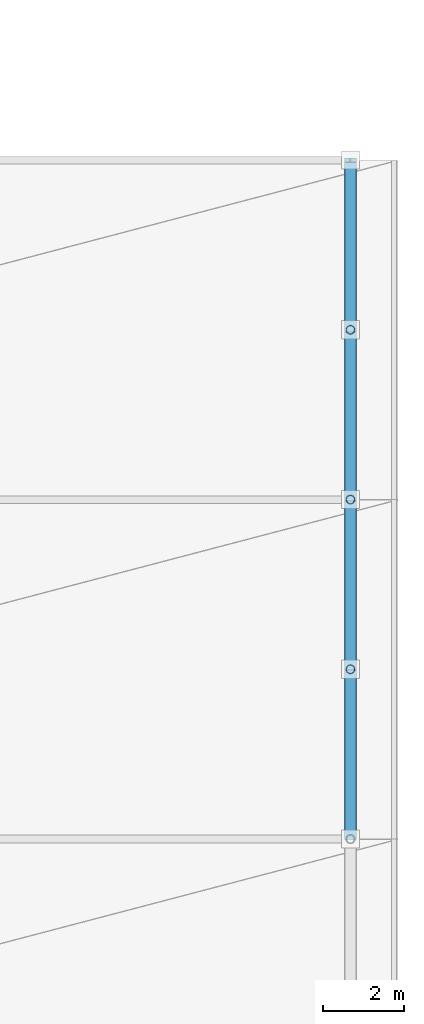
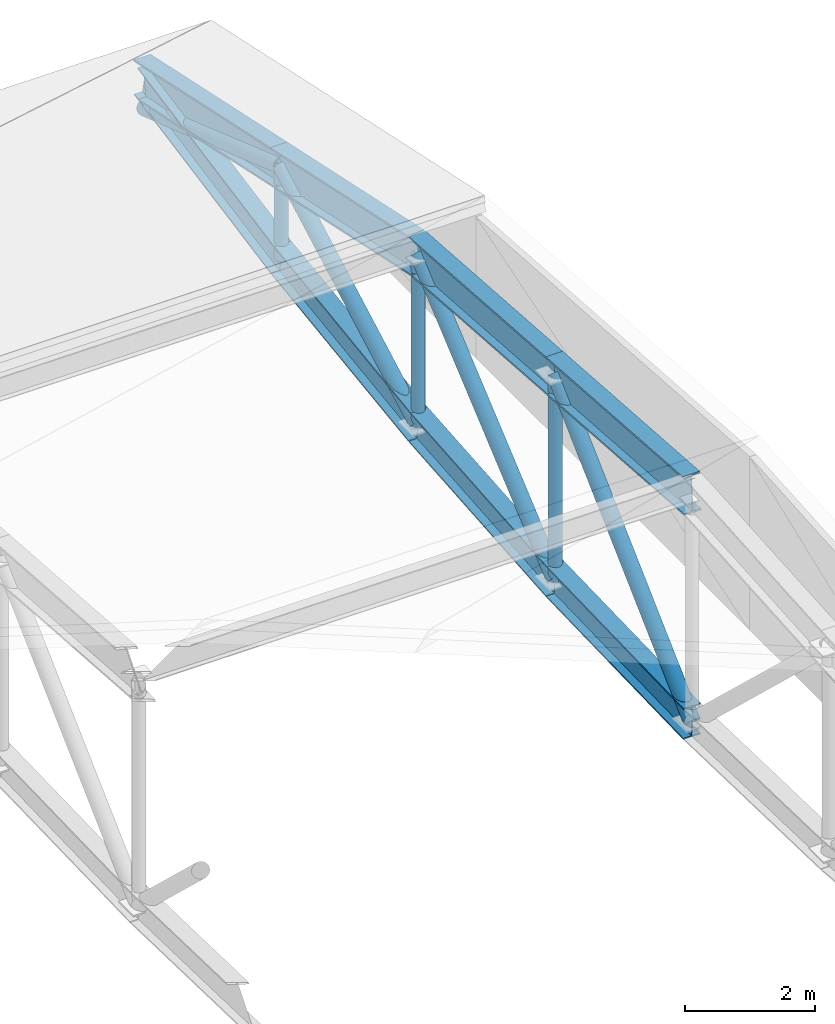
# One storey, part 57 of 87: 8 beams, 7 members.
"""IFC4 building model written with IfcOpenShell, lengths in metres."""

from ifc_helpers import new_model, si_unit, direction, frame, origin, origin_2d, place, context, subcontext, project, spatial, hollow_circle, i_section, extrude, material, material_profile, profile_set, type_object, element, save


model = new_model("IFC4")

# Units and contexts
model_context = context("Model", 3, precision=1e-05, world=origin(), true_north=direction((0.0, 1.0)))
body_context = subcontext(model_context, "Body", "Model", "MODEL_VIEW")
ifc_project = project(units=[si_unit("LENGTHUNIT", "METRE"), si_unit("AREAUNIT", "SQUARE_METRE"), si_unit("VOLUMEUNIT", "CUBIC_METRE"), si_unit("PLANEANGLEUNIT", "RADIAN"), si_unit("MASSUNIT", "GRAM", prefix="KILO")], contexts=[model_context])

# Site, building, storey
site_placement = place(None, origin())
site = spatial("IfcSite", under=ifc_project, at=site_placement, CompositionType="ELEMENT")
building_placement = place(site_placement, origin())
building = spatial("IfcBuilding", under=site, at=building_placement, Name="Sohan Crest Arena", CompositionType="ELEMENT")
storey_placement = place(building_placement, frame((0.0, 0.0, 18.0)))
storey = spatial("IfcBuildingStorey", under=building, at=storey_placement, Name="L04", CompositionType="ELEMENT", Elevation=18.0)

# Beams
ifc_material = material(Name="Steel S355", Category="steel")
ifc_material_profile_1 = material_profile(ifc_material, i_section(OverallWidth=0.300048828125, OverallDepth=0.590087890625, WebThickness=0.012939453125, FlangeThickness=0.02490234375, at=origin_2d()), Name="HEA 600")
ifc_profile_set_1 = profile_set([ifc_material_profile_1], Name="Steel S355")
beam_type_1 = type_object("IfcBeamType", Name="STR-BM-B11", PredefinedType="BEAM", material=ifc_profile_set_1)
beam_1_placement = place(storey_placement, frame((225.800048828125, 94.0, -1.5), z_axis=(0.0, 0.99961902138, 0.02760094374), x_axis=(-1.0, 0.0, 0.0)))
element("IfcBeam", 1, at=beam_1_placement, inside=storey, type_object=beam_type_1, Name="Structural beam VAB-L04-2483", PredefinedType="BEAM", context=body_context, shape_type="SweptSolid", body=[
    extrude(i_section(OverallWidth=0.300048828125, OverallDepth=0.590087890625, WebThickness=0.012939453125, FlangeThickness=0.02490234375, at=origin_2d()), origin(), (0.0, 0.0, 1.0), 4.20166015625),
])
beam_2_placement = place(storey_placement, frame((225.800048828125, 98.199951171875, -1.384033203125), z_axis=(0.0, 0.996605824568, 0.082321506523), x_axis=(-1.0, 0.0, 0.0)))
element("IfcBeam", 2, at=beam_2_placement, inside=storey, type_object=beam_type_1, Name="Structural beam VAB-L04-2485", PredefinedType="BEAM", context=body_context, shape_type="SweptSolid", body=[
    extrude(i_section(OverallWidth=0.300048828125, OverallDepth=0.590087890625, WebThickness=0.012939453125, FlangeThickness=0.02490234375, at=origin_2d()), origin(), (0.0, 0.0, 1.0), 4.21435546875),
])
beam_3_placement = place(storey_placement, frame((225.800048828125, 102.39990234375, -1.037109375), z_axis=(0.0, 0.990659791804, 0.136356799988), x_axis=(-1.0, 0.0, 0.0)))
element("IfcBeam", 3, at=beam_3_placement, inside=storey, type_object=beam_type_1, Name="Structural beam VAB-L04-2487", PredefinedType="BEAM", context=body_context, shape_type="SweptSolid", body=[
    extrude(i_section(OverallWidth=0.300048828125, OverallDepth=0.590087890625, WebThickness=0.012939453125, FlangeThickness=0.02490234375, at=origin_2d()), origin(), (0.0, 0.0, 1.0), 4.23974609375),
])
beam_4_placement = place(storey_placement, frame((225.800048828125, 106.60009765625, -0.458984375), z_axis=(0.0, 0.981945733642, 0.189162829814), x_axis=(-1.0, 0.0, 0.0)))
element("IfcBeam", 4, at=beam_4_placement, inside=storey, type_object=beam_type_1, Name="Structural beam VAB-L04-2489", PredefinedType="BEAM", context=body_context, shape_type="SweptSolid", body=[
    extrude(i_section(OverallWidth=0.300048828125, OverallDepth=0.590087890625, WebThickness=0.012939453125, FlangeThickness=0.02490234375, at=origin_2d()), origin(), (0.0, 0.0, 1.0), 4.277099609375),
])
ifc_material_profile_2 = material_profile(ifc_material, i_section(OverallWidth=0.300048828125, OverallDepth=0.699951171875, WebThickness=0.01708984375, FlangeThickness=0.031982421875, at=origin_2d()), Name="HEB 700")
ifc_profile_set_2 = profile_set([ifc_material_profile_2], Name="Steel S355")
beam_type_2 = type_object("IfcBeamType", Name="STR-BM-B16", PredefinedType="BEAM", material=ifc_profile_set_2)
for number, where, z_axis, x_axis, name in (
    (5, (225.800048828125, 94.0, 2.77001953125), (0.0, 0.997457816785, -0.071259411546), (-1.0, 0.0, 0.0), "Structural beam VA-L04-2482"),
    (6, (225.800048828125, 98.199951171875, 2.469970703125), (0.0, 0.997457816785, -0.071259411546), (-1.0, 0.0, 0.0), "Structural beam VA-L04-2484"),
):
    element("IfcBeam", number, at=place(storey_placement, frame(where, z_axis=z_axis, x_axis=x_axis)), inside=storey, type_object=beam_type_2, Name=name, PredefinedType="BEAM", context=body_context, shape_type="SweptSolid", body=[
        extrude(i_section(OverallWidth=0.300048828125, OverallDepth=0.699951171875, WebThickness=0.01708984375, FlangeThickness=0.031982421875, at=origin_2d()), origin(), (0.0, 0.0, 1.0), 4.210693359375),
    ])
beam_5_placement = place(storey_placement, frame((225.800048828125, 102.39990234375, 2.169921875), z_axis=(0.0, 0.977809067572, -0.209498036682), x_axis=(-1.0, 0.0, 0.0)))
element("IfcBeam", 7, at=beam_5_placement, inside=storey, type_object=beam_type_2, Name="Structural beam VA-L04-2486", PredefinedType="BEAM", context=body_context, shape_type="SweptSolid", body=[
    extrude(i_section(OverallWidth=0.300048828125, OverallDepth=0.699951171875, WebThickness=0.01708984375, FlangeThickness=0.031982421875, at=origin_2d()), origin(), (0.0, 0.0, 1.0), 4.29541015625),
])
beam_6_placement = place(storey_placement, frame((225.800048828125, 106.60009765625, 1.27001953125), z_axis=(0.0, 0.977806572858, -0.209509680146), x_axis=(-1.0, 0.0, 0.0)))
element("IfcBeam", 8, at=beam_6_placement, inside=storey, type_object=beam_type_2, Name="Structural beam VA-L04-2488", PredefinedType="BEAM", context=body_context, shape_type="SweptSolid", body=[
    extrude(i_section(OverallWidth=0.300048828125, OverallDepth=0.699951171875, WebThickness=0.01708984375, FlangeThickness=0.031982421875, at=origin_2d()), origin(), (0.0, 0.0, 1.0), 4.295166015625),
])

# Members
ifc_material_profile_3 = material_profile(ifc_material, hollow_circle(Radius=0.109619140625, WallThickness=0.010009765625, at=origin_2d()), Name="CHS 219.1x10")
ifc_profile_set_3 = profile_set([ifc_material_profile_3], Name="Steel S355")
member_type_1 = type_object("IfcMemberType", Name="STR-MEM-BR01", PredefinedType="BRACE", material=ifc_profile_set_3)
member_1_placement = place(storey_placement, frame((225.800048828125, 98.199951171875, -1.384033203125), z_axis=(0.0, 0.0, 1.0), x_axis=(1.0, 0.0, 0.0)))
element("IfcMember", 9, at=member_1_placement, inside=storey, type_object=member_type_1, Name="Vault truss web strut VW-055", PredefinedType="BRACE", context=body_context, shape_type="SweptSolid", body=[
    extrude(hollow_circle(Radius=0.109619140625, WallThickness=0.010009765625, at=origin_2d()), origin(), (0.0, 0.0, 1.0), 3.85400390625),
])
member_2_placement = place(storey_placement, frame((225.800048828125, 102.39990234375, -1.037109375), z_axis=(0.0, 0.0, 1.0), x_axis=(1.0, 0.0, 0.0)))
element("IfcMember", 10, at=member_2_placement, inside=storey, type_object=member_type_1, Name="Vault truss web strut VW-057", PredefinedType="BRACE", context=body_context, shape_type="SweptSolid", body=[
    extrude(hollow_circle(Radius=0.109619140625, WallThickness=0.010009765625, at=origin_2d()), origin(), (0.0, 0.0, 1.0), 3.20703125),
])
member_3_placement = place(storey_placement, frame((225.800048828125, 106.60009765625, -0.458984375), z_axis=(0.0, 0.0, 1.0), x_axis=(1.0, 0.0, 0.0)))
element("IfcMember", 11, at=member_3_placement, inside=storey, type_object=member_type_1, Name="Vault truss web strut VW-059", PredefinedType="BRACE", context=body_context, shape_type="SweptSolid", body=[
    extrude(hollow_circle(Radius=0.109619140625, WallThickness=0.010009765625, at=origin_2d()), origin(), (0.0, 0.0, 1.0), 1.72900390625),
])
ifc_material_profile_4 = material_profile(ifc_material, hollow_circle(Radius=0.136474609375, WallThickness=0.012451171875, at=origin_2d()), Name="CHS 273x12.5")
ifc_profile_set_4 = profile_set([ifc_material_profile_4], Name="Steel S355")
member_type_2 = type_object("IfcMemberType", Name="STR-MEM-BR02", PredefinedType="BRACE", material=ifc_profile_set_4)
member_4_placement = place(storey_placement, frame((225.800048828125, 94.0, -1.5), z_axis=(0.0, 0.726723719959, 0.686929861667), x_axis=(-1.0, 0.0, 0.0)))
element("IfcMember", 12, at=member_4_placement, inside=storey, type_object=member_type_2, Name="Vault truss diagonal VDG-054", PredefinedType="BRACE", context=body_context, shape_type="SweptSolid", body=[
    extrude(hollow_circle(Radius=0.136474609375, WallThickness=0.012451171875, at=origin_2d()), origin(), (0.0, 0.0, 1.0), 5.779296875),
])
member_5_placement = place(storey_placement, frame((225.800048828125, 98.199951171875, -1.384033203125), z_axis=(0.0, 0.763372819868, 0.645958154904), x_axis=(-1.0, 0.0, 0.0)))
element("IfcMember", 13, at=member_5_placement, inside=storey, type_object=member_type_2, Name="Vault truss diagonal VDG-056", PredefinedType="BRACE", context=body_context, shape_type="SweptSolid", body=[
    extrude(hollow_circle(Radius=0.136474609375, WallThickness=0.012451171875, at=origin_2d()), origin(), (0.0, 0.0, 1.0), 5.501953125),
])
member_6_placement = place(storey_placement, frame((225.800048828125, 102.39990234375, -1.037109375), z_axis=(0.0, 0.876478234726, 0.481441485594), x_axis=(-1.0, 0.0, 0.0)))
element("IfcMember", 14, at=member_6_placement, inside=storey, type_object=member_type_2, Name="Vault truss diagonal VDG-058", PredefinedType="BRACE", context=body_context, shape_type="SweptSolid", body=[
    extrude(hollow_circle(Radius=0.136474609375, WallThickness=0.012451171875, at=origin_2d()), origin(), (0.0, 0.0, 1.0), 4.792236328125),
])
member_7_placement = place(storey_placement, frame((225.800048828125, 110.800048828125, -0.18994140625), z_axis=(0.0, -0.944559001123, 0.328341732646), x_axis=(1.0, 0.0, 0.0)))
element("IfcMember", 15, at=member_7_placement, inside=storey, type_object=member_type_2, Name="Vault truss diagonal VDG-060", PredefinedType="BRACE", context=body_context, shape_type="SweptSolid", body=[
    extrude(hollow_circle(Radius=0.136474609375, WallThickness=0.012451171875, at=origin_2d()), origin(), (0.0, 0.0, 1.0), 4.446533203125),
])

save(model, "model.ifc")
